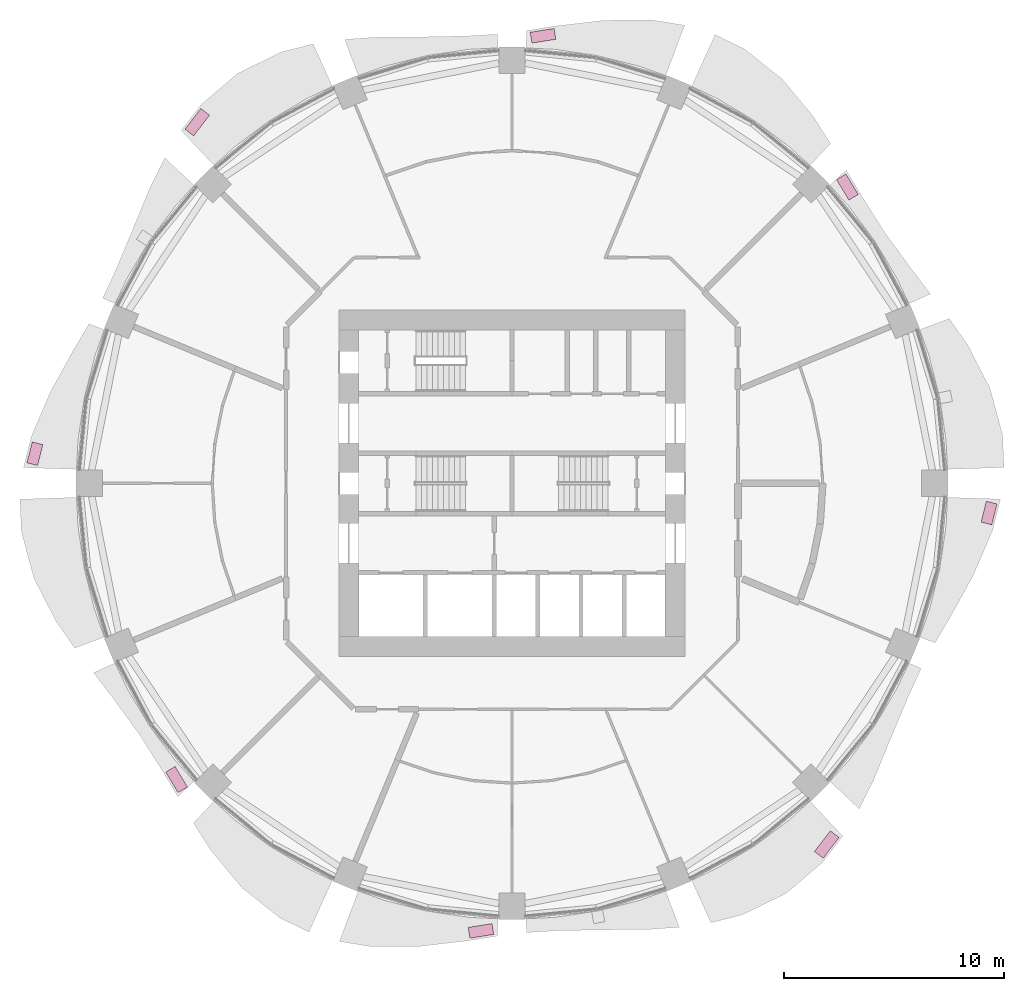
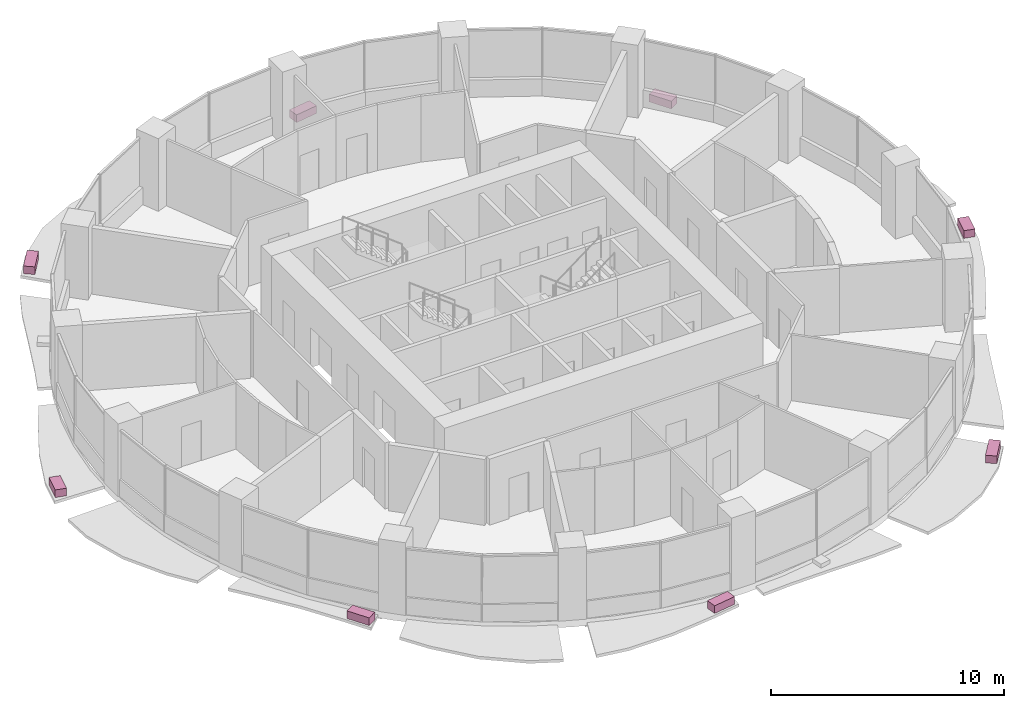
# One storey, part 15 of 15: 8 furniture elements.
"""IFC4 building model written with IfcOpenShell, lengths in metres."""

from ifc_helpers import new_model, si_unit, direction, frame, origin, origin_2d, place, context, subcontext, project, spatial, rectangle, extrude, material, type_object, element, save


model = new_model("IFC4")

# Units and contexts
model_context = context("Model", 3, precision=1e-05, world=origin(), true_north=direction((0.0, 1.0)))
body_context = subcontext(model_context, "Body", "Model", "MODEL_VIEW")
ifc_project = project(units=[si_unit("LENGTHUNIT", "METRE"), si_unit("AREAUNIT", "SQUARE_METRE"), si_unit("VOLUMEUNIT", "CUBIC_METRE"), si_unit("PLANEANGLEUNIT", "RADIAN"), si_unit("MASSUNIT", "GRAM", prefix="KILO")], contexts=[model_context])

# Site, building, storey
site_placement = place(None, origin())
site = spatial("IfcSite", under=ifc_project, at=site_placement, CompositionType="ELEMENT")
building_placement = place(site_placement, origin())
building = spatial("IfcBuilding", under=site, at=building_placement, Name="Polderwave Tower", CompositionType="ELEMENT")
storey_placement = place(building_placement, frame((0.0, 0.0, 22.39990234375)))
storey = spatial("IfcBuildingStorey", under=building, at=storey_placement, Name="L05", CompositionType="ELEMENT", Elevation=22.39990234375)

# Furniture
ifc_material = material(Name="Terracotta", Category="masonry")
furniture_type = type_object("IfcFurnitureType", Name="Terracotta planting trough", AssemblyPlace="NOTDEFINED", PredefinedType="USERDEFINED", material=ifc_material)
furniture_1_placement = place(storey_placement, frame((15.25048828125, 13.4697265625, -0.199951171875), z_axis=(0.0, 0.0, 1.0), x_axis=(-0.515099411197, 0.857130443156, 0.0)))
element("IfcFurniture", 1, at=furniture_1_placement, inside=storey, type_object=furniture_type, Name="Planting trough L05 2", ObjectType="PLANTER", PredefinedType="USERDEFINED", context=body_context, shape_type="SweptSolid", body=[
    extrude(rectangle(XDim=1.087890625, YDim=0.5, at=origin_2d()), origin(), (0.0, 0.0, 1.0), 0.39990234375),
])
furniture_2_placement = place(storey_placement, frame((1.410400390625, 20.348876953125, -0.199951171875), z_axis=(0.0, 0.0, 1.0), x_axis=(-0.987798399032, -0.155737994303, 0.0)))
element("IfcFurniture", 2, at=furniture_2_placement, inside=storey, type_object=furniture_type, Name="Planting trough L05 4", ObjectType="PLANTER", PredefinedType="USERDEFINED", context=body_context, shape_type="SweptSolid", body=[
    extrude(rectangle(XDim=1.10302734375, YDim=0.5, at=origin_2d()), origin(), (0.0, 0.0, 1.0), 0.39990234375),
])
furniture_3_placement = place(storey_placement, frame((-14.310546875, 16.419921875, -0.199951171875), z_axis=(0.0, 0.0, 1.0), x_axis=(-0.609143525294, -0.793060001256, 0.0)))
element("IfcFurniture", 3, at=furniture_3_placement, inside=storey, type_object=furniture_type, Name="Planting trough L05 6", ObjectType="PLANTER", PredefinedType="USERDEFINED", context=body_context, shape_type="SweptSolid", body=[
    extrude(rectangle(XDim=1.188720703125, YDim=0.5, at=origin_2d()), origin(), (0.0, 0.0, 1.0), 0.39990234375),
])
furniture_4_placement = place(storey_placement, frame((-21.690673828125, 1.348388671875, -0.199951171875), z_axis=(0.0, 0.0, 1.0), x_axis=(-0.243440655013, -0.969915794019, 0.0)))
element("IfcFurniture", 4, at=furniture_4_placement, inside=storey, type_object=furniture_type, Name="Planting trough L05 8", ObjectType="PLANTER", PredefinedType="USERDEFINED", context=body_context, shape_type="SweptSolid", body=[
    extrude(rectangle(XDim=0.981201171875, YDim=0.5, at=origin_2d()), origin(), (0.0, 0.0, 1.0), 0.39990234375),
])
furniture_5_placement = place(storey_placement, frame((-15.25048828125, -13.4697265625, -0.199951171875), z_axis=(0.0, 0.0, 1.0), x_axis=(0.515099411197, -0.857130443156, 0.0)))
element("IfcFurniture", 5, at=furniture_5_placement, inside=storey, type_object=furniture_type, Name="Planting trough L05 10", ObjectType="PLANTER", PredefinedType="USERDEFINED", context=body_context, shape_type="SweptSolid", body=[
    extrude(rectangle(XDim=1.087890625, YDim=0.5, at=origin_2d()), origin(), (0.0, 0.0, 1.0), 0.39990234375),
])
furniture_6_placement = place(storey_placement, frame((-1.410400390625, -20.348876953125, -0.199951171875), z_axis=(0.0, 0.0, 1.0), x_axis=(0.987798399032, 0.155737994303, 0.0)))
element("IfcFurniture", 6, at=furniture_6_placement, inside=storey, type_object=furniture_type, Name="Planting trough L05 12", ObjectType="PLANTER", PredefinedType="USERDEFINED", context=body_context, shape_type="SweptSolid", body=[
    extrude(rectangle(XDim=1.10302734375, YDim=0.5, at=origin_2d()), origin(), (0.0, 0.0, 1.0), 0.39990234375),
])
furniture_7_placement = place(storey_placement, frame((14.310546875, -16.419921875, -0.199951171875), z_axis=(0.0, 0.0, 1.0), x_axis=(0.609143525294, 0.793060001256, 0.0)))
element("IfcFurniture", 7, at=furniture_7_placement, inside=storey, type_object=furniture_type, Name="Planting trough L05 14", ObjectType="PLANTER", PredefinedType="USERDEFINED", context=body_context, shape_type="SweptSolid", body=[
    extrude(rectangle(XDim=1.188720703125, YDim=0.5, at=origin_2d()), origin(), (0.0, 0.0, 1.0), 0.39990234375),
])
furniture_8_placement = place(storey_placement, frame((21.690673828125, -1.348388671875, -0.199951171875), z_axis=(0.0, 0.0, 1.0), x_axis=(0.243440655013, 0.969915794019, 0.0)))
element("IfcFurniture", 8, at=furniture_8_placement, inside=storey, type_object=furniture_type, Name="Planting trough L05 16", ObjectType="PLANTER", PredefinedType="USERDEFINED", context=body_context, shape_type="SweptSolid", body=[
    extrude(rectangle(XDim=0.981201171875, YDim=0.5, at=origin_2d()), origin(), (0.0, 0.0, 1.0), 0.39990234375),
])

save(model, "model.ifc")
